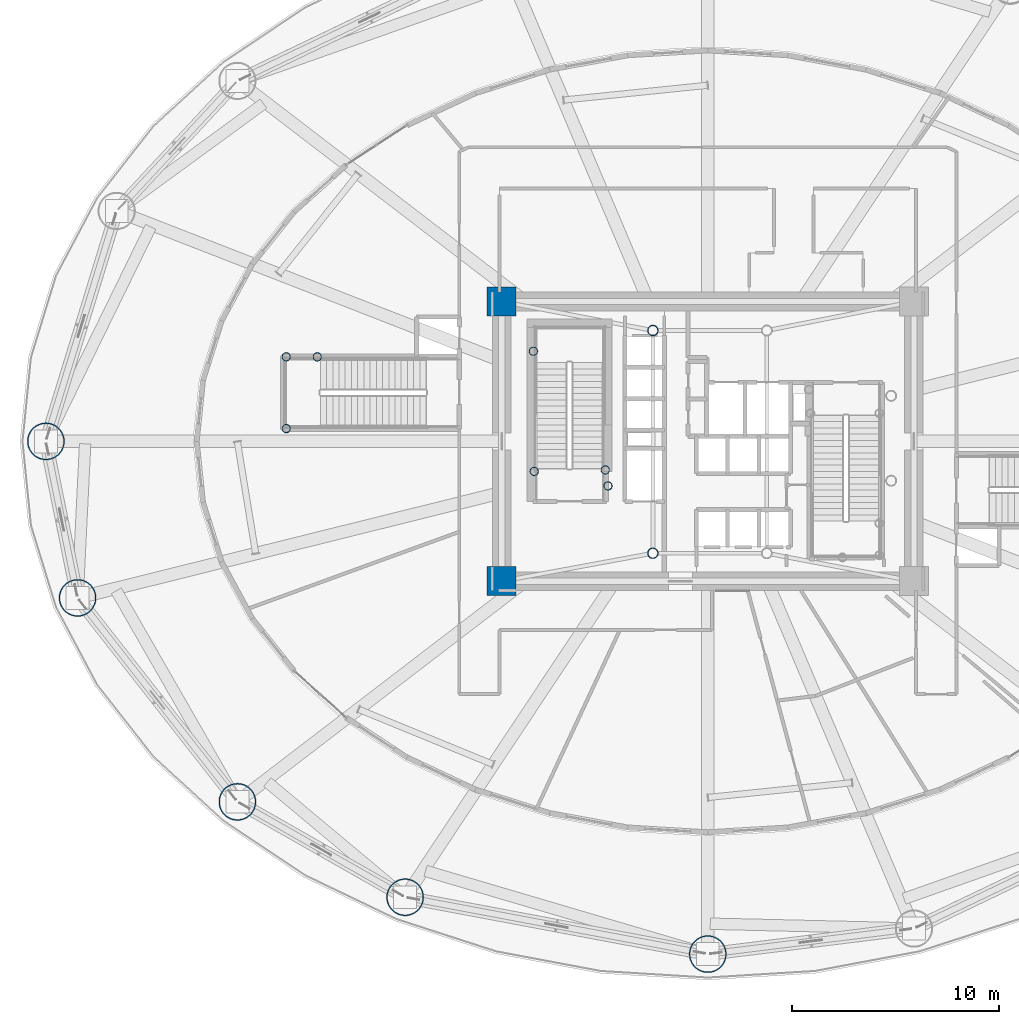
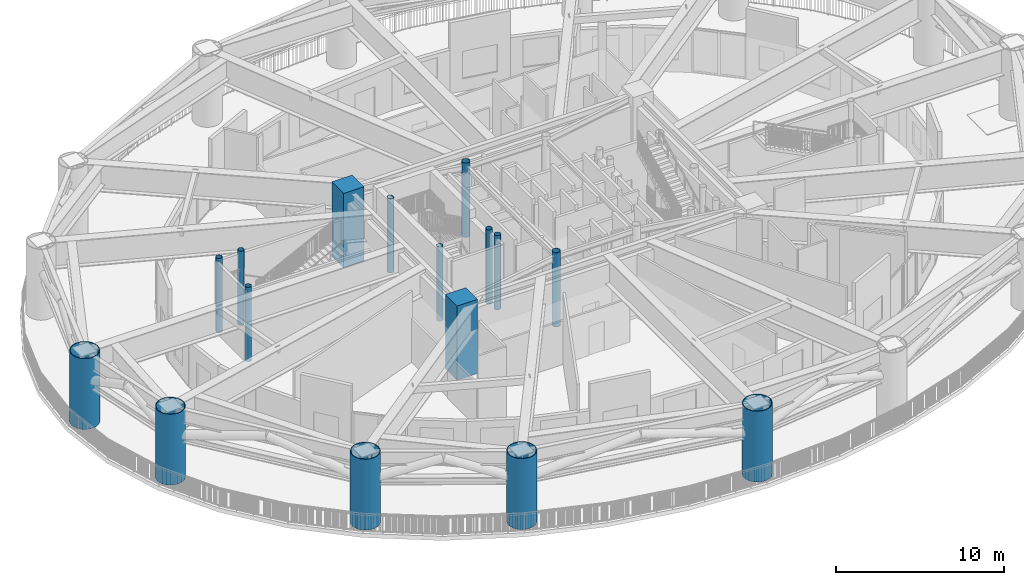
# One storey, part 1 of 39: 16 columns.
"""IFC4 building model written with IfcOpenShell, lengths in metres."""

from ifc_helpers import new_model, si_unit, direction, frame, origin, origin_2d, place, context, subcontext, project, spatial, rectangle, hollow_circle, extrude, material, material_profile, profile_set, type_object, element, save


model = new_model("IFC4")

# Units and contexts
model_context = context("Model", 3, precision=1e-05, world=origin(), true_north=direction((0.0, 1.0)))
body_context = subcontext(model_context, "Body", "Model", "MODEL_VIEW")
ifc_project = project(units=[si_unit("LENGTHUNIT", "METRE"), si_unit("AREAUNIT", "SQUARE_METRE"), si_unit("VOLUMEUNIT", "CUBIC_METRE"), si_unit("PLANEANGLEUNIT", "RADIAN"), si_unit("MASSUNIT", "GRAM", prefix="KILO")], contexts=[model_context])

# Site, building, storey
site_placement = place(None, origin())
site = spatial("IfcSite", under=ifc_project, at=site_placement, CompositionType="ELEMENT")
building_placement = place(site_placement, origin())
building = spatial("IfcBuilding", under=site, at=building_placement, Name="Linh Dai School and Residence Tower", CompositionType="ELEMENT")
storey_placement = place(building_placement, frame((0.0, 0.0, 27.0)))
storey = spatial("IfcBuildingStorey", under=building, at=storey_placement, Name="L06", CompositionType="ELEMENT", Elevation=27.0)

# Columns
ifc_material_1 = material(Name="Concrete B60 (C50/60)", Category="concrete")
ifc_material_profile_1 = material_profile(ifc_material_1, rectangle(XDim=1.39990234375, YDim=1.39990234375, at=origin_2d()), Name="RC 1400x1400")
ifc_profile_set_1 = profile_set([ifc_material_profile_1], Name="Concrete B60 (C50/60)")
column_type_1 = type_object("IfcColumnType", Name="COL-CC1", PredefinedType="COLUMN", material=ifc_profile_set_1)
for number, where, z_axis, x_axis, name in (
    (1, (26.050048828125, 20.25, 0.0), (0.0, 0.0, 1.0), (1.0, 0.0, 0.0), "L06 Core Corner Pier CC1"),
    (2, (26.050048828125, 33.75, 0.0), (0.0, 0.0, 1.0), (1.0, 0.0, 0.0), "L06 Core Corner Pier CC4"),
):
    element("IfcColumn", number, at=place(storey_placement, frame(where, z_axis=z_axis, x_axis=x_axis)), inside=storey, type_object=column_type_1, Name=name, PredefinedType="COLUMN", context=body_context, shape_type="SweptSolid", body=[
        extrude(rectangle(XDim=1.39990234375, YDim=1.39990234375, at=origin_2d()), origin(), (0.0, 0.0, 1.0), 5.39990234375),
    ])
ifc_material_2 = material(Name="Structural Steel S355JR", Category="steel")
ifc_material_profile_2 = material_profile(ifc_material_2, hollow_circle(Radius=0.203125, WallThickness=0.01611328125, at=origin_2d()), Name="CHS 406.4x16")
ifc_profile_set_2 = profile_set([ifc_material_profile_2], Name="Structural Steel S355JR")
column_type_2 = type_object("IfcColumnType", Name="COL-EC", PredefinedType="COLUMN", material=ifc_profile_set_2)
for number, where, z_axis, x_axis, name in (
    (3, (27.580078125, 31.35009765625, 0.0), (0.0, 0.0, 1.0), (1.0, 0.0, 0.0), "L06 Stair Shaft Landing Support Pier ST1NW"),
    (4, (31.050048828125, 25.6201171875, 0.0), (0.0, 0.0, 1.0), (1.0, 0.0, 0.0), "L06 Stair Shaft Landing Support Pier ST1SE"),
    (5, (31.179931640625, 24.85009765625, 0.0), (0.0, 0.0, 1.0), (1.0, 0.0, 0.0), "L06 Stair Shaft Landing Support Pier ST1SM"),
    (6, (27.6201171875, 25.550048828125, 0.0), (0.0, 0.0, 1.0), (1.0, 0.0, 0.0), "L06 Stair Shaft Landing Support Pier ST1SW"),
    (7, (15.64990234375, 27.6201171875, 0.0), (0.0, 0.0, 1.0), (1.0, 0.0, 0.0), "L06 Stair Shaft Landing Support Pier STS1SW"),
    (8, (15.64990234375, 31.080078125, 0.0), (0.0, 0.0, 1.0), (1.0, 0.0, 0.0), "L06 Stair Shaft Landing Support Pier STS1NW"),
    (9, (17.14990234375, 31.080078125, 0.0), (0.0, 0.0, 1.0), (1.0, 0.0, 0.0), "L06 Stair Shaft Landing Support Pier STS1ME"),
):
    element("IfcColumn", number, at=place(storey_placement, frame(where, z_axis=z_axis, x_axis=x_axis)), inside=storey, type_object=column_type_2, Name=name, PredefinedType="COLUMN", context=body_context, shape_type="SweptSolid", body=[
        extrude(hollow_circle(Radius=0.203125, WallThickness=0.01611328125, at=origin_2d()), origin(), (0.0, 0.0, 1.0), 5.39990234375),
    ])
ifc_material_profile_3 = material_profile(ifc_material_2, hollow_circle(Radius=0.89990234375, WallThickness=0.050048828125, at=origin_2d()), Name="CHS 1800x50")
ifc_profile_set_3 = profile_set([ifc_material_profile_3], Name="Structural Steel S355JR")
column_type_3 = type_object("IfcColumnType", Name="COL-MC1", PredefinedType="COLUMN", material=ifc_profile_set_3)
for number, where, z_axis, x_axis, name in (
    (10, (4.050048828125, 27.0, 0.0), (0.0, 0.0, 1.0), (1.0, 0.0, 0.0), "L06 Perimeter CFT Mega-Column MC09"),
    (11, (5.57958984375, 19.444580078125, 0.0), (0.0, 0.0, 1.0), (1.0, 0.0, 0.0), "L06 Perimeter CFT Mega-Column MC10"),
    (12, (13.294677734375, 9.599365234375, 0.0), (0.0, 0.0, 1.0), (1.0, 0.0, 0.0), "L06 Perimeter CFT Mega-Column MC11"),
    (13, (21.390869140625, 4.994873046875, 0.0), (0.0, 0.0, 1.0), (1.0, 0.0, 0.0), "L06 Perimeter CFT Mega-Column MC12"),
    (14, (36.0, 2.25, 0.0), (0.0, 0.0, 1.0), (1.0, 0.0, 0.0), "L06 Perimeter CFT Mega-Column MC13"),
):
    element("IfcColumn", number, at=place(storey_placement, frame(where, z_axis=z_axis, x_axis=x_axis)), inside=storey, type_object=column_type_3, Name=name, PredefinedType="COLUMN", context=body_context, shape_type="SweptSolid", body=[
        extrude(hollow_circle(Radius=0.89990234375, WallThickness=0.050048828125, at=origin_2d()), origin(), (0.0, 0.0, 1.0), 5.14990234375),
    ])
ifc_material_profile_4 = material_profile(ifc_material_2, hollow_circle(Radius=0.25390625, WallThickness=0.02001953125, at=origin_2d()), Name="CHS 508x20")
ifc_profile_set_4 = profile_set([ifc_material_profile_4], Name="Structural Steel S355JR")
column_type_4 = type_object("IfcColumnType", Name="COL-MCP", PredefinedType="COLUMN", material=ifc_profile_set_4)
for number, where, z_axis, x_axis, name in (
    (15, (33.35009765625, 21.60009765625, 0.0), (0.0, 0.0, 1.0), (1.0, 0.0, 0.0), "L06 Core Mast Support Pier MCP1"),
    (16, (33.35009765625, 32.35009765625, 0.0), (0.0, 0.0, 1.0), (1.0, 0.0, 0.0), "L06 Core Mast Support Pier MCP4"),
):
    element("IfcColumn", number, at=place(storey_placement, frame(where, z_axis=z_axis, x_axis=x_axis)), inside=storey, type_object=column_type_4, Name=name, PredefinedType="COLUMN", context=body_context, shape_type="SweptSolid", body=[
        extrude(hollow_circle(Radius=0.25390625, WallThickness=0.02001953125, at=origin_2d()), origin(), (0.0, 0.0, 1.0), 5.39990234375),
    ])

save(model, "model.ifc")
